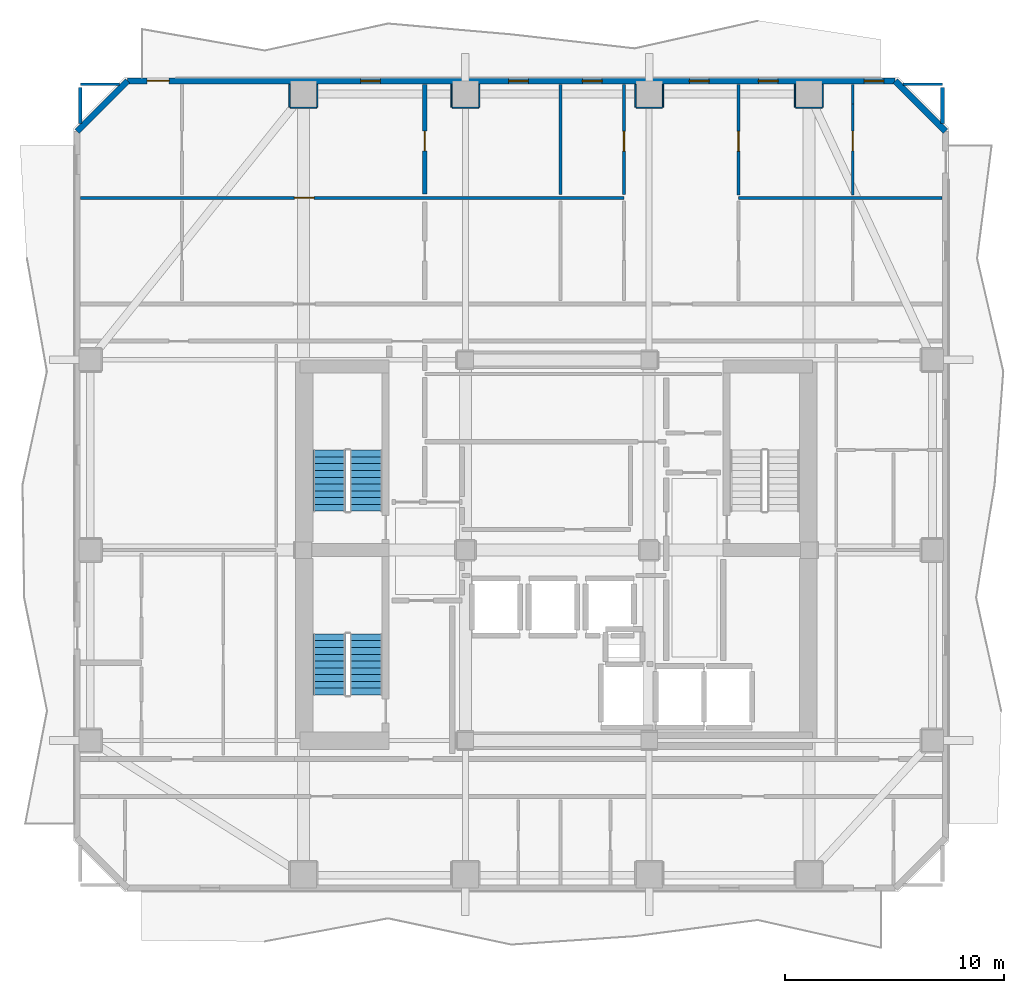
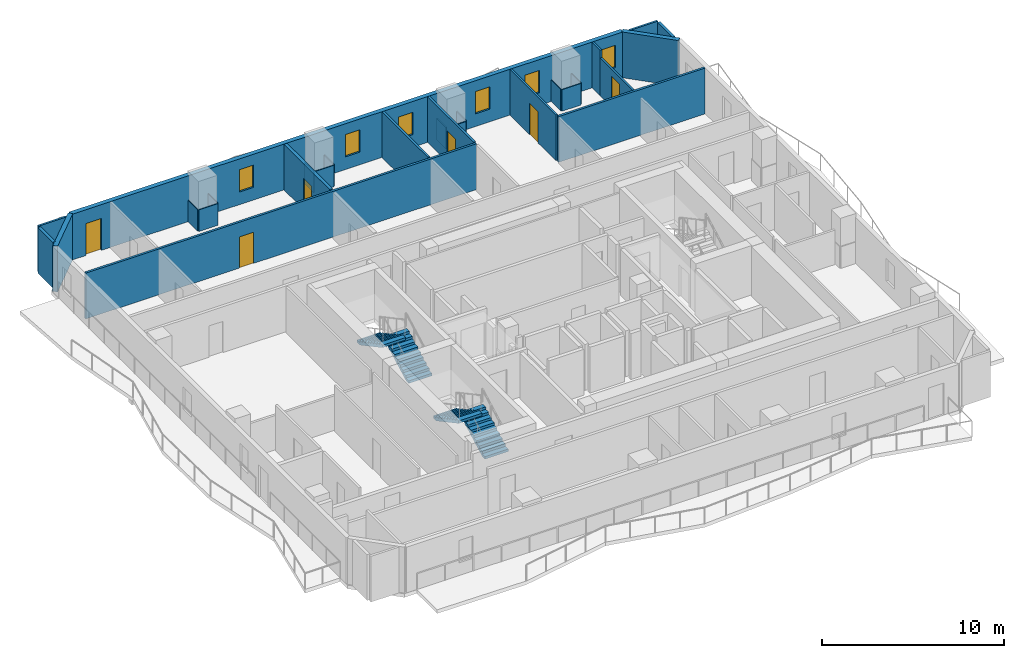
# One storey, part 6 of 11: 27 walls, 6 doors, 6 windows, 4 stair flights, 12 openings, 2 elements without a shape of their own.
"""IFC4 building model written with IfcOpenShell, lengths in metres."""

from ifc_helpers import new_model, si_unit, direction, frame, frame_2d, origin, place, context, subcontext, project, spatial, polyline, rectangle, outline, extrude, material, layer, layer_set, type_object, element, fill, aggregate, save


model = new_model("IFC4")

# Units and contexts
model_context = context("Model", 3, precision=1e-05, world=origin(), true_north=direction((0.0, 1.0)))
body_context = subcontext(model_context, "Body", "Model", "MODEL_VIEW")
ifc_project = project(units=[si_unit("LENGTHUNIT", "METRE"), si_unit("AREAUNIT", "SQUARE_METRE"), si_unit("VOLUMEUNIT", "CUBIC_METRE"), si_unit("PLANEANGLEUNIT", "RADIAN"), si_unit("MASSUNIT", "GRAM", prefix="KILO")], contexts=[model_context])

# Site, building, storey
site_placement = place(None, origin())
site = spatial("IfcSite", under=ifc_project, at=site_placement, CompositionType="ELEMENT")
building_placement = place(site_placement, origin())
building = spatial("IfcBuilding", under=site, at=building_placement, Name="Solanera Arch Residences", CompositionType="ELEMENT")
storey_placement = place(building_placement, frame((0.0, 0.0, 180.199951171875)))
storey = spatial("IfcBuildingStorey", under=building, at=storey_placement, Name="L52", CompositionType="ELEMENT", Elevation=180.199951171875)

# Walls
ifc_material_1 = material(Name="Fire-Rated Gypsum Stud Partition", Category="gypsum")
ifc_layer_1 = layer(ifc_material_1, 0.06005859375)
ifc_layer_set_1 = layer_set([ifc_layer_1], Name="Fire-Rated Gypsum Stud Partition")
wall_type_1 = type_object("IfcWallType", Name="Column Acoustic Furring Wall 60", PredefinedType="PARTITIONING", material=ifc_layer_set_1)
wall_1_placement = place(storey_placement, frame((12.800048828125, 50.91796875, 0.0), z_axis=(0.0, 0.0, 1.0), x_axis=(1.0, 0.0, 0.0)))
element("IfcWall", 1, at=wall_1_placement, inside=storey, type_object=wall_type_1, Name="L52 Column Furring 10S", PredefinedType="PARTITIONING", context=body_context, shape_type="SweptSolid", body=[
    extrude(rectangle(XDim=1.199951171875, YDim=0.06005859375, at=frame_2d((0.60009765625, 0.0))), origin(), (0.0, 0.0, 1.0), 1.449951171875),
])
for number, where, z_axis, x_axis, name in (
    (2, (12.76806640625, 50.949951171875, 0.0), (0.0, 0.0, 1.0), (0.0, 1.0, 0.0), "L52 Column Furring 10W"),
    (3, (14.031982421875, 50.949951171875, 0.0), (0.0, 0.0, 1.0), (0.0, 1.0, 0.0), "L52 Column Furring 10E"),
):
    element("IfcWall", number, at=place(storey_placement, frame(where, z_axis=z_axis, x_axis=x_axis)), inside=storey, type_object=wall_type_1, Name=name, PredefinedType="PARTITIONING", context=body_context, shape_type="SweptSolid", body=[
        extrude(rectangle(XDim=1.0400390625, YDim=0.06005859375, at=frame_2d((0.52001953125, 0.0))), origin(), (0.0, 0.0, 1.0), 1.449951171875),
    ])
wall_2_placement = place(storey_placement, frame((20.199951171875, 50.91796875, 0.0), z_axis=(0.0, 0.0, 1.0), x_axis=(1.0, 0.0, 0.0)))
element("IfcWall", 4, at=wall_2_placement, inside=storey, type_object=wall_type_1, Name="L52 Column Furring 12S", PredefinedType="PARTITIONING", context=body_context, shape_type="SweptSolid", body=[
    extrude(rectangle(XDim=1.199951171875, YDim=0.06005859375, at=frame_2d((0.60009765625, 0.0))), origin(), (0.0, 0.0, 1.0), 1.449951171875),
])
for number, where, z_axis, x_axis, name in (
    (5, (20.16796875, 50.949951171875, 0.0), (0.0, 0.0, 1.0), (0.0, 1.0, 0.0), "L52 Column Furring 12W"),
    (6, (21.431884765625, 50.949951171875, 0.0), (0.0, 0.0, 1.0), (0.0, 1.0, 0.0), "L52 Column Furring 12E"),
):
    element("IfcWall", number, at=place(storey_placement, frame(where, z_axis=z_axis, x_axis=x_axis)), inside=storey, type_object=wall_type_1, Name=name, PredefinedType="PARTITIONING", context=body_context, shape_type="SweptSolid", body=[
        extrude(rectangle(XDim=1.0400390625, YDim=0.06005859375, at=frame_2d((0.52001953125, 0.0))), origin(), (0.0, 0.0, 1.0), 1.449951171875),
    ])
wall_3_placement = place(storey_placement, frame((28.60009765625, 50.91796875, 0.0), z_axis=(0.0, 0.0, 1.0), x_axis=(1.0, 0.0, 0.0)))
element("IfcWall", 7, at=wall_3_placement, inside=storey, type_object=wall_type_1, Name="L52 Column Furring 14S", PredefinedType="PARTITIONING", context=body_context, shape_type="SweptSolid", body=[
    extrude(rectangle(XDim=1.199951171875, YDim=0.06005859375, at=frame_2d((0.60009765625, 0.0))), origin(), (0.0, 0.0, 1.0), 1.449951171875),
])
for number, where, z_axis, x_axis, name in (
    (8, (28.568115234375, 50.949951171875, 0.0), (0.0, 0.0, 1.0), (0.0, 1.0, 0.0), "L52 Column Furring 14W"),
    (9, (29.83203125, 50.949951171875, 0.0), (0.0, 0.0, 1.0), (0.0, 1.0, 0.0), "L52 Column Furring 14E"),
):
    element("IfcWall", number, at=place(storey_placement, frame(where, z_axis=z_axis, x_axis=x_axis)), inside=storey, type_object=wall_type_1, Name=name, PredefinedType="PARTITIONING", context=body_context, shape_type="SweptSolid", body=[
        extrude(rectangle(XDim=1.0400390625, YDim=0.06005859375, at=frame_2d((0.52001953125, 0.0))), origin(), (0.0, 0.0, 1.0), 1.449951171875),
    ])
wall_4_placement = place(storey_placement, frame((35.89990234375, 50.91796875, 0.0), z_axis=(0.0, 0.0, 1.0), x_axis=(1.0, 0.0, 0.0)))
element("IfcWall", 10, at=wall_4_placement, inside=storey, type_object=wall_type_1, Name="L52 Column Furring 16S", PredefinedType="PARTITIONING", context=body_context, shape_type="SweptSolid", body=[
    extrude(rectangle(XDim=1.2001953125, YDim=0.06005859375, at=frame_2d((0.60009765625, 0.0))), origin(), (0.0, 0.0, 1.0), 1.449951171875),
])
for number, where, z_axis, x_axis, name in (
    (11, (35.867919921875, 50.949951171875, 0.0), (0.0, 0.0, 1.0), (0.0, 1.0, 0.0), "L52 Column Furring 16W"),
    (12, (37.132080078125, 50.949951171875, 0.0), (0.0, 0.0, 1.0), (0.0, 1.0, 0.0), "L52 Column Furring 16E"),
):
    element("IfcWall", number, at=place(storey_placement, frame(where, z_axis=z_axis, x_axis=x_axis)), inside=storey, type_object=wall_type_1, Name=name, PredefinedType="PARTITIONING", context=body_context, shape_type="SweptSolid", body=[
        extrude(rectangle(XDim=1.0400390625, YDim=0.06005859375, at=frame_2d((0.52001953125, 0.0))), origin(), (0.0, 0.0, 1.0), 1.449951171875),
    ])
ifc_material_2 = material(Name="Autoclaved Aerated Concrete Blockwork", Category="masonry")
ifc_layer_2 = layer(ifc_material_2, 0.179931640625)
ifc_layer_set_2 = layer_set([ifc_layer_2], Name="Autoclaved Aerated Concrete Blockwork")
wall_type_2 = type_object("IfcWallType", Name="Corridor Fire Partition 180", PredefinedType="PARTITIONING", material=ifc_layer_set_2)
for number, where, z_axis, x_axis, name in (
    (13, (3.199951171875, 50.205078125, 0.0), (0.0, 0.0, 1.0), (0.0, 1.0, 0.0), "L52 Interior Partition V8 2"),
    (14, (42.60009765625, 50.205078125, 0.0), (0.0, 0.0, 1.0), (0.0, 1.0, 0.0), "L52 Interior Partition V10 2"),
):
    element("IfcWall", number, at=place(storey_placement, frame(where, z_axis=z_axis, x_axis=x_axis)), inside=storey, type_object=wall_type_2, Name=name, PredefinedType="PARTITIONING", context=body_context, shape_type="SweptSolid", body=[
        extrude(rectangle(XDim=1.636962890625, YDim=0.179931640625, at=frame_2d((0.818359375, 0.0))), origin(), (0.0, 0.0, 1.0), 3.080078125),
    ])
ifc_material_3 = material(Name="Precast Concrete C35/45", Category="concrete")
ifc_layer_3 = layer(ifc_material_3, 0.280029296875)
ifc_layer_set_3 = layer_set([ifc_layer_3], Name="Precast Concrete C35/45")
wall_type_3 = type_object("IfcWallType", Name="Exterior Wall Precast Masonry-Frame 280", PredefinedType="STANDARD", material=ifc_layer_set_3)
wall_5_placement = place(storey_placement, frame((3.054931640625, 49.844970703125, 0.0), z_axis=(0.0, 0.0, 1.0), x_axis=(0.707106781187, 0.707106781187, 0.0)))
element("IfcWall", 15, at=wall_5_placement, inside=storey, type_object=wall_type_3, Name="L52 Tower Exterior Precast Masonry-Frame Wall CH1", PredefinedType="STANDARD", context=body_context, shape_type="SweptSolid", body=[
    extrude(rectangle(XDim=3.252685546875, YDim=0.280029296875, at=frame_2d((1.62646484375, 0.0))), origin(), (0.0, 0.0, 1.0), 3.080078125),
])

# Wall, openings, door, windows
wall_6_placement = place(storey_placement, frame((5.35498046875, 52.14501953125, 0.0), z_axis=(0.0, 0.0, 1.0), x_axis=(1.0, 0.0, 0.0)))
wall_6 = element("IfcWall", 16, at=wall_6_placement, inside=storey, type_object=wall_type_3, Name="L52 Tower Exterior Precast Masonry-Frame Wall N", PredefinedType="STANDARD", context=body_context, shape_type="SweptSolid", body=[
    extrude(rectangle(XDim=35.090087890625, YDim=0.280029296875, at=frame_2d((17.544921875, 0.0))), origin(), (0.0, 0.0, 1.0), 3.080078125),
])
opening_1_placement = place(wall_6_placement, frame((0.904052734375, 0.0, 0.0)))
opening_1 = element("IfcOpeningElement", 17, at=opening_1_placement, cuts=wall_6, Name="Opening DB-01", PredefinedType="OPENING", context=body_context, shape_type="SweptSolid", body=[
    extrude(rectangle(XDim=1.0, YDim=2.14990234375, at=frame_2d((0.5, 1.074951171875))), frame((0.0, 0.14990234375, 0.0), z_axis=(0.0, -1.0, 0.0), x_axis=(1.0, 0.0, 0.0)), (0.0, 0.0, 1.0), 0.3),
])
opening_2_placement = place(wall_6_placement, frame((10.656982421875, 0.0, 0.85009765625)))
opening_2 = element("IfcOpeningElement", 18, at=opening_2_placement, cuts=wall_6, Name="Opening W-06", PredefinedType="OPENING", context=body_context, shape_type="SweptSolid", body=[
    extrude(rectangle(XDim=0.89990234375, YDim=1.5, at=frame_2d((0.449951171875, 0.75))), frame((0.0, 0.14990234375, 0.0), z_axis=(0.0, -1.0, 0.0), x_axis=(1.0, 0.0, 0.0)), (0.0, 0.0, 1.0), 0.3),
])
opening_3_placement = place(wall_6_placement, frame((17.422119140625, 0.0, 0.85009765625)))
opening_3 = element("IfcOpeningElement", 19, at=opening_3_placement, cuts=wall_6, Name="Opening W-06", PredefinedType="OPENING", context=body_context, shape_type="SweptSolid", body=[
    extrude(rectangle(XDim=0.89990234375, YDim=1.5, at=frame_2d((0.449951171875, 0.75))), frame((0.0, 0.14990234375, 0.0), z_axis=(0.0, -1.0, 0.0), x_axis=(1.0, 0.0, 0.0)), (0.0, 0.0, 1.0), 0.3),
])
opening_4_placement = place(wall_6_placement, frame((25.68701171875, 0.0, 0.85009765625)))
opening_4 = element("IfcOpeningElement", 20, at=opening_4_placement, cuts=wall_6, Name="Opening W-06", PredefinedType="OPENING", context=body_context, shape_type="SweptSolid", body=[
    extrude(rectangle(XDim=0.89990234375, YDim=1.5, at=frame_2d((0.449951171875, 0.75))), frame((0.0, 0.14990234375, 0.0), z_axis=(0.0, -1.0, 0.0), x_axis=(1.0, 0.0, 0.0)), (0.0, 0.0, 1.0), 0.3),
])
opening_5_placement = place(wall_6_placement, frame((20.797119140625, 0.0, 0.85009765625)))
opening_5 = element("IfcOpeningElement", 21, at=opening_5_placement, cuts=wall_6, Name="Opening W-06", PredefinedType="OPENING", context=body_context, shape_type="SweptSolid", body=[
    extrude(rectangle(XDim=0.89990234375, YDim=1.5, at=frame_2d((0.449951171875, 0.75))), frame((0.0, 0.14990234375, 0.0), z_axis=(0.0, -1.0, 0.0), x_axis=(1.0, 0.0, 0.0)), (0.0, 0.0, 1.0), 0.3),
])
opening_6_placement = place(wall_6_placement, frame((28.8369140625, 0.0, 0.85009765625)))
opening_6 = element("IfcOpeningElement", 22, at=opening_6_placement, cuts=wall_6, Name="Opening W-06", PredefinedType="OPENING", context=body_context, shape_type="SweptSolid", body=[
    extrude(rectangle(XDim=0.89990234375, YDim=1.5, at=frame_2d((0.449951171875, 0.75))), frame((0.0, 0.14990234375, 0.0), z_axis=(0.0, -1.0, 0.0), x_axis=(1.0, 0.0, 0.0)), (0.0, 0.0, 1.0), 0.3),
])
opening_7_placement = place(wall_6_placement, frame((33.673095703125, 0.0, 0.85009765625)))
opening_7 = element("IfcOpeningElement", 23, at=opening_7_placement, cuts=wall_6, Name="Opening W-06", PredefinedType="OPENING", context=body_context, shape_type="SweptSolid", body=[
    extrude(rectangle(XDim=0.89990234375, YDim=1.5, at=frame_2d((0.449951171875, 0.75))), frame((0.0, 0.14990234375, 0.0), z_axis=(0.0, -1.0, 0.0), x_axis=(1.0, 0.0, 0.0)), (0.0, 0.0, 1.0), 0.3),
])
ifc_material_4 = material(Name="Anodised Aluminium Alloy 6063-T6", Category="aluminium")
door_type_1 = type_object("IfcDoorType", Name="Glazed Balcony Swing Door DB-01", OperationType="NOTDEFINED", PredefinedType="DOOR", material=ifc_material_4)
door_1_placement = place(opening_1_placement, origin())
door_1 = element("IfcDoor", 24, at=door_1_placement, inside=storey, type_object=door_type_1, Name="DR-L52-OUT-02", OperationType="SINGLE_SWING_LEFT", OverallHeight=2.14990234375, OverallWidth=1.0, PredefinedType="DOOR", context=body_context, shape_type="SweptSolid", body=[
    extrude(rectangle(XDim=1.0, YDim=2.14990234375, at=frame_2d((0.5, 1.074951171875))), frame((0.0, 0.02490234375, 0.0), z_axis=(0.0, -1.0, 0.0), x_axis=(1.0, 0.0, 0.0)), (0.0, 0.0, 1.0), 0.050048828125),
])
fill(opening_1, door_1)
ifc_material_5 = material(Name="Double Glazed Low-E Laminated Glass", Category="glass")
window_type = type_object("IfcWindowType", Name="Punched Window W-06", PartitioningType="SINGLE_PANEL", PredefinedType="WINDOW", material=ifc_material_5)
window_1_placement = place(opening_2_placement, origin())
window_1 = element("IfcWindow", 25, at=window_1_placement, inside=storey, type_object=window_type, Name="L52 5203-LIV Punched Window", OverallHeight=1.5, OverallWidth=0.89990234375, PartitioningType="SINGLE_PANEL", PredefinedType="WINDOW", context=body_context, shape_type="SweptSolid", body=[
    extrude(rectangle(XDim=0.89990234375, YDim=1.5, at=frame_2d((0.449951171875, 0.75))), frame((0.0, 0.030029296875, 0.0), z_axis=(0.0, -1.0, 0.0), x_axis=(1.0, 0.0, 0.0)), (0.0, 0.0, 1.0), 0.06005859375),
])
fill(opening_2, window_1)
window_2_placement = place(opening_3_placement, origin())
window_2 = element("IfcWindow", 26, at=window_2_placement, inside=storey, type_object=window_type, Name="L52 5203-BR2 Punched Window", OverallHeight=1.5, OverallWidth=0.89990234375, PartitioningType="SINGLE_PANEL", PredefinedType="WINDOW", context=body_context, shape_type="SweptSolid", body=[
    extrude(rectangle(XDim=0.89990234375, YDim=1.5, at=frame_2d((0.449951171875, 0.75))), frame((0.0, 0.030029296875, 0.0), z_axis=(0.0, -1.0, 0.0), x_axis=(1.0, 0.0, 0.0)), (0.0, 0.0, 1.0), 0.06005859375),
])
fill(opening_3, window_2)
window_3_placement = place(opening_4_placement, origin())
window_3 = element("IfcWindow", 27, at=window_3_placement, inside=storey, type_object=window_type, Name="L52 5204-LIV Punched Window", OverallHeight=1.5, OverallWidth=0.89990234375, PartitioningType="SINGLE_PANEL", PredefinedType="WINDOW", context=body_context, shape_type="SweptSolid", body=[
    extrude(rectangle(XDim=0.89990234375, YDim=1.5, at=frame_2d((0.449951171875, 0.75))), frame((0.0, 0.030029296875, 0.0), z_axis=(0.0, -1.0, 0.0), x_axis=(1.0, 0.0, 0.0)), (0.0, 0.0, 1.0), 0.06005859375),
])
fill(opening_4, window_3)
window_4_placement = place(opening_5_placement, origin())
window_4 = element("IfcWindow", 28, at=window_4_placement, inside=storey, type_object=window_type, Name="L52 5204-BR1 Punched Window", OverallHeight=1.5, OverallWidth=0.89990234375, PartitioningType="SINGLE_PANEL", PredefinedType="WINDOW", context=body_context, shape_type="SweptSolid", body=[
    extrude(rectangle(XDim=0.89990234375, YDim=1.5, at=frame_2d((0.449951171875, 0.75))), frame((0.0, 0.030029296875, 0.0), z_axis=(0.0, -1.0, 0.0), x_axis=(1.0, 0.0, 0.0)), (0.0, 0.0, 1.0), 0.06005859375),
])
fill(opening_5, window_4)
window_5_placement = place(opening_6_placement, origin())
window_5 = element("IfcWindow", 29, at=window_5_placement, inside=storey, type_object=window_type, Name="L52 5204-BR2 Punched Window", OverallHeight=1.5, OverallWidth=0.89990234375, PartitioningType="SINGLE_PANEL", PredefinedType="WINDOW", context=body_context, shape_type="SweptSolid", body=[
    extrude(rectangle(XDim=0.89990234375, YDim=1.5, at=frame_2d((0.449951171875, 0.75))), frame((0.0, 0.030029296875, 0.0), z_axis=(0.0, -1.0, 0.0), x_axis=(1.0, 0.0, 0.0)), (0.0, 0.0, 1.0), 0.06005859375),
])
fill(opening_6, window_5)
window_6_placement = place(opening_7_placement, origin())
window_6 = element("IfcWindow", 30, at=window_6_placement, inside=storey, type_object=window_type, Name="L52 5204-BR3 Punched Window", OverallHeight=1.5, OverallWidth=0.89990234375, PartitioningType="SINGLE_PANEL", PredefinedType="WINDOW", context=body_context, shape_type="SweptSolid", body=[
    extrude(rectangle(XDim=0.89990234375, YDim=1.5, at=frame_2d((0.449951171875, 0.75))), frame((0.0, 0.030029296875, 0.0), z_axis=(0.0, -1.0, 0.0), x_axis=(1.0, 0.0, 0.0)), (0.0, 0.0, 1.0), 0.06005859375),
])
fill(opening_7, window_6)

# Wall
wall_7_placement = place(storey_placement, frame((40.445068359375, 52.14501953125, 0.0), z_axis=(0.0, 0.0, 1.0), x_axis=(0.707106781187, -0.707106781187, 0.0)))
element("IfcWall", 31, at=wall_7_placement, inside=storey, type_object=wall_type_3, Name="L52 Tower Exterior Precast Masonry-Frame Wall CH3", PredefinedType="STANDARD", context=body_context, shape_type="SweptSolid", body=[
    extrude(rectangle(XDim=3.252685546875, YDim=0.280029296875, at=frame_2d((1.62646484375, 0.0))), origin(), (0.0, 0.0, 1.0), 3.080078125),
])

# Wall, opening, door
ifc_material_6 = material(Name="Autoclaved Aerated Concrete Blockwork", Category="masonry")
ifc_layer_4 = layer(ifc_material_6, 0.199951171875)
ifc_layer_set_4 = layer_set([ifc_layer_4], Name="Autoclaved Aerated Concrete Blockwork")
wall_type_4 = type_object("IfcWallType", Name="Party Wall Acoustic 200", PredefinedType="PARTITIONING", material=ifc_layer_set_4)
wall_8_placement = place(storey_placement, frame((18.949951171875, 46.97802734375, 0.0), z_axis=(0.0, 0.0, 1.0), x_axis=(0.0, 1.0, 0.0)))
wall_8 = element("IfcWall", 32, at=wall_8_placement, inside=storey, type_object=wall_type_4, Name="L52 Interior Partition V7 2", PredefinedType="PARTITIONING", context=body_context, shape_type="SweptSolid", body=[
    extrude(rectangle(XDim=5.014892578125, YDim=0.199951171875, at=frame_2d((2.50732421875, 0.0))), origin(), (0.0, 0.0, 1.0), 3.080078125),
])
opening_8_placement = place(wall_8_placement, frame((1.971923828125, 0.0, 0.0)))
opening_8 = element("IfcOpeningElement", 33, at=opening_8_placement, cuts=wall_8, Name="Opening DI-03", PredefinedType="OPENING", context=body_context, shape_type="SweptSolid", body=[
    extrude(rectangle(XDim=0.89990234375, YDim=2.10009765625, at=frame_2d((0.449951171875, 1.050048828125))), frame((0.0, 0.110107421875, 0.0), z_axis=(0.0, -1.0, 0.0), x_axis=(1.0, 0.0, 0.0)), (0.0, 0.0, 1.0), 0.22),
])
ifc_material_7 = material(Name="Fire-Rated Architectural Hardwood", Category="wood")
door_type_2 = type_object("IfcDoorType", Name="Bedroom Swing Door DI-03", OperationType="NOTDEFINED", PredefinedType="DOOR", material=ifc_material_7)
door_2_placement = place(opening_8_placement, origin())
door_2 = element("IfcDoor", 34, at=door_2_placement, inside=storey, type_object=door_type_2, Name="DR-L52-IN-025", OperationType="SINGLE_SWING_LEFT", OverallHeight=2.10009765625, OverallWidth=0.89990234375, PredefinedType="DOOR", context=body_context, shape_type="SweptSolid", body=[
    extrude(rectangle(XDim=0.89990234375, YDim=2.10009765625, at=frame_2d((0.449951171875, 1.050048828125))), frame((0.0, 0.02490234375, 0.0), z_axis=(0.0, -1.0, 0.0), x_axis=(1.0, 0.0, 0.0)), (0.0, 0.0, 1.0), 0.050048828125),
])
fill(opening_8, door_2)

# Walls
ifc_material_8 = material(Name="Fire-Rated Gypsum Stud Partition", Category="gypsum")
ifc_layer_5 = layer(ifc_material_8, 0.1201171875)
ifc_layer_set_5 = layer_set([ifc_layer_5], Name="Fire-Rated Gypsum Stud Partition")
wall_type_5 = type_object("IfcWallType", Name="Unit Drywall Partition 120", PredefinedType="PARTITIONING", material=ifc_layer_set_5)
for number, where, z_axis, x_axis, name in (
    (35, (3.199951171875, 52.0, 0.0), (0.0, 0.0, 1.0), (1.0, 0.0, 0.0), "L52 Interior Partition H21 1"),
    (36, (40.804931640625, 52.0, 0.0), (0.0, 0.0, 1.0), (1.0, 0.0, 0.0), "L52 Interior Partition H21 2"),
):
    element("IfcWall", number, at=place(storey_placement, frame(where, z_axis=z_axis, x_axis=x_axis)), inside=storey, type_object=wall_type_5, Name=name, PredefinedType="PARTITIONING", context=body_context, shape_type="SweptSolid", body=[
        extrude(rectangle(XDim=1.795166015625, YDim=0.1201171875, at=frame_2d((0.8974609375, 0.0))), origin(), (0.0, 0.0, 1.0), 3.080078125),
    ])

# Wall, opening, door
wall_9_placement = place(storey_placement, frame((33.283935546875, 46.93798828125, 0.0), z_axis=(0.0, 0.0, 1.0), x_axis=(0.0, 1.0, 0.0)))
wall_9 = element("IfcWall", 37, at=wall_9_placement, inside=storey, type_object=wall_type_5, Name="L52 Interior Partition V23 2", PredefinedType="PARTITIONING", context=body_context, shape_type="SweptSolid", body=[
    extrude(rectangle(XDim=5.054931640625, YDim=0.1201171875, at=frame_2d((2.52734375, 0.0))), origin(), (0.0, 0.0, 1.0), 3.080078125),
])
opening_9_placement = place(wall_9_placement, frame((1.9990234375, 0.0, 0.0)))
opening_9 = element("IfcOpeningElement", 38, at=opening_9_placement, cuts=wall_9, Name="Opening DI-03", PredefinedType="OPENING", context=body_context, shape_type="SweptSolid", body=[
    extrude(rectangle(XDim=0.89990234375, YDim=2.10009765625, at=frame_2d((0.449951171875, 1.050048828125))), frame((0.0, 0.070068359375, 0.0), z_axis=(0.0, -1.0, 0.0), x_axis=(1.0, 0.0, 0.0)), (0.0, 0.0, 1.0), 0.1401),
])
door_3_placement = place(opening_9_placement, origin())
door_3 = element("IfcDoor", 39, at=door_3_placement, inside=storey, type_object=door_type_2, Name="DR-L52-IN-031", OperationType="SINGLE_SWING_LEFT", OverallHeight=2.10009765625, OverallWidth=0.89990234375, PredefinedType="DOOR", context=body_context, shape_type="SweptSolid", body=[
    extrude(rectangle(XDim=0.89990234375, YDim=2.10009765625, at=frame_2d((0.449951171875, 1.050048828125))), frame((0.0, 0.02490234375, 0.0), z_axis=(0.0, -1.0, 0.0), x_axis=(1.0, 0.0, 0.0)), (0.0, 0.0, 1.0), 0.050048828125),
])
fill(opening_9, door_3)

wall_10_placement = place(storey_placement, frame((38.5009765625, 46.93798828125, 0.0), z_axis=(0.0, 0.0, 1.0), x_axis=(0.0, 1.0, 0.0)))
wall_10 = element("IfcWall", 40, at=wall_10_placement, inside=storey, type_object=wall_type_5, Name="L52 Interior Partition V25 2", PredefinedType="PARTITIONING", context=body_context, shape_type="SweptSolid", body=[
    extrude(rectangle(XDim=4.162109375, YDim=0.1201171875, at=frame_2d((2.0810546875, 0.0))), origin(), (0.0, 0.0, 1.0), 2.56494140625),
])
opening_10_placement = place(wall_10_placement, frame((2.011962890625, 0.0, 0.0)))
opening_10 = element("IfcOpeningElement", 41, at=opening_10_placement, cuts=wall_10, Name="Opening DI-03", PredefinedType="OPENING", context=body_context, shape_type="SweptSolid", body=[
    extrude(rectangle(XDim=0.89990234375, YDim=2.10009765625, at=frame_2d((0.449951171875, 1.050048828125))), frame((0.0, 0.070068359375, 0.0), z_axis=(0.0, -1.0, 0.0), x_axis=(1.0, 0.0, 0.0)), (0.0, 0.0, 1.0), 0.1401),
])
door_4_placement = place(opening_10_placement, origin())
door_4 = element("IfcDoor", 42, at=door_4_placement, inside=storey, type_object=door_type_2, Name="DR-L52-IN-032", OperationType="SINGLE_SWING_RIGHT", OverallHeight=2.10009765625, OverallWidth=0.89990234375, PredefinedType="DOOR", context=body_context, shape_type="SweptSolid", body=[
    extrude(rectangle(XDim=0.89990234375, YDim=2.10009765625, at=frame_2d((0.449951171875, 1.050048828125))), frame((0.0, 0.02490234375, 0.0), z_axis=(0.0, -1.0, 0.0), x_axis=(1.0, 0.0, 0.0)), (0.0, 0.0, 1.0), 0.050048828125),
])
fill(opening_10, door_4)

# Wall
wall_11_placement = place(storey_placement, frame((38.5009765625, 51.10009765625, 0.0), z_axis=(0.0, 0.0, 1.0), x_axis=(0.0, 1.0, 0.0)))
element("IfcWall", 43, at=wall_11_placement, inside=storey, type_object=wall_type_5, Name="L52 Interior Partition V25 3", PredefinedType="PARTITIONING", context=body_context, shape_type="SweptSolid", body=[
    extrude(rectangle(XDim=0.892822265625, YDim=0.1201171875, at=frame_2d((0.4462890625, 0.0))), origin(), (0.0, 0.0, 1.0), 3.080078125),
])

# Wall, opening, door
ifc_material_9 = material(Name="Autoclaved Aerated Concrete Blockwork", Category="masonry")
ifc_layer_6 = layer(ifc_material_9, 0.139892578125)
ifc_layer_set_6 = layer_set([ifc_layer_6], Name="Autoclaved Aerated Concrete Blockwork")
wall_type_6 = type_object("IfcWallType", Name="Wet-Room Partition 140", PredefinedType="PARTITIONING", material=ifc_layer_set_6)
wall_12_placement = place(storey_placement, frame((3.20703125, 46.800048828125, 0.0), z_axis=(0.0, 0.0, 1.0), x_axis=(1.0, 0.0, 0.0)))
wall_12 = element("IfcWall", 44, at=wall_12_placement, inside=storey, type_object=wall_type_6, Name="L52 Interior Partition H18", PredefinedType="PARTITIONING", context=body_context, shape_type="SweptSolid", body=[
    extrude(rectangle(XDim=24.843017578125, YDim=0.139892578125, at=frame_2d((12.42138671875, 0.0))), origin(), (0.0, 0.0, 1.0), 3.080078125),
])
opening_11_placement = place(wall_12_placement, frame((9.777099609375, 0.0, 0.0)))
opening_11 = element("IfcOpeningElement", 45, at=opening_11_placement, cuts=wall_12, Name="Opening DI-02", PredefinedType="OPENING", context=body_context, shape_type="SweptSolid", body=[
    extrude(rectangle(XDim=0.89990234375, YDim=2.10009765625, at=frame_2d((0.449951171875, 1.050048828125))), frame((0.0, 0.079833984375, 0.0), z_axis=(0.0, -1.0, 0.0), x_axis=(1.0, 0.0, 0.0)), (0.0, 0.0, 1.0), 0.1599),
])
ifc_material_10 = material(Name="Fire-Rated Architectural Hardwood", Category="wood")
door_type_3 = type_object("IfcDoorType", Name="Suite Room Swing Door DI-02", OperationType="NOTDEFINED", PredefinedType="DOOR", material=ifc_material_10)
door_5_placement = place(opening_11_placement, origin())
door_5 = element("IfcDoor", 46, at=door_5_placement, inside=storey, type_object=door_type_3, Name="DR-L52-IN-021", OperationType="SINGLE_SWING_LEFT", OverallHeight=2.10009765625, OverallWidth=0.89990234375, PredefinedType="DOOR", context=body_context, shape_type="SweptSolid", body=[
    extrude(rectangle(XDim=0.89990234375, YDim=2.10009765625, at=frame_2d((0.449951171875, 1.050048828125))), frame((0.0, 0.02490234375, 0.0), z_axis=(0.0, -1.0, 0.0), x_axis=(1.0, 0.0, 0.0)), (0.0, 0.0, 1.0), 0.050048828125),
])
fill(opening_11, door_5)

# Walls
wall_13_placement = place(storey_placement, frame((33.283935546875, 46.800048828125, 0.0), z_axis=(0.0, 0.0, 1.0), x_axis=(1.0, 0.0, 0.0)))
element("IfcWall", 47, at=wall_13_placement, inside=storey, type_object=wall_type_6, Name="L52 Interior Partition H19", PredefinedType="PARTITIONING", context=body_context, shape_type="SweptSolid", body=[
    extrude(rectangle(XDim=9.30908203125, YDim=0.139892578125, at=frame_2d((4.654541015625, 0.0))), origin(), (0.0, 0.0, 1.0), 3.080078125),
])
wall_14_placement = place(storey_placement, frame((25.154052734375, 46.947998046875, 0.0), z_axis=(0.0, 0.0, 1.0), x_axis=(0.0, 1.0, 0.0)))
element("IfcWall", 48, at=wall_14_placement, inside=storey, type_object=wall_type_6, Name="L52 Interior Partition V15 2", PredefinedType="PARTITIONING", context=body_context, shape_type="SweptSolid", body=[
    extrude(rectangle(XDim=5.044921875, YDim=0.139892578125, at=frame_2d((2.5224609375, 0.0))), origin(), (0.0, 0.0, 1.0), 3.080078125),
])

# Wall, opening, door
wall_15_placement = place(storey_placement, frame((28.050048828125, 46.947998046875, 0.0), z_axis=(0.0, 0.0, 1.0), x_axis=(0.0, 1.0, 0.0)))
wall_15 = element("IfcWall", 49, at=wall_15_placement, inside=storey, type_object=wall_type_6, Name="L52 Interior Partition V17 2", PredefinedType="PARTITIONING", context=body_context, shape_type="SweptSolid", body=[
    extrude(rectangle(XDim=5.044921875, YDim=0.139892578125, at=frame_2d((2.5224609375, 0.0))), origin(), (0.0, 0.0, 1.0), 3.080078125),
])
opening_12_placement = place(wall_15_placement, frame((1.989013671875, 0.0, 0.0)))
opening_12 = element("IfcOpeningElement", 50, at=opening_12_placement, cuts=wall_15, Name="Opening DI-03", PredefinedType="OPENING", context=body_context, shape_type="SweptSolid", body=[
    extrude(rectangle(XDim=0.89990234375, YDim=2.10009765625, at=frame_2d((0.449951171875, 1.050048828125))), frame((0.0, 0.079833984375, 0.0), z_axis=(0.0, -1.0, 0.0), x_axis=(1.0, 0.0, 0.0)), (0.0, 0.0, 1.0), 0.1599),
])
door_6_placement = place(opening_12_placement, origin())
door_6 = element("IfcDoor", 51, at=door_6_placement, inside=storey, type_object=door_type_2, Name="DR-L52-IN-028", OperationType="SINGLE_SWING_RIGHT", OverallHeight=2.10009765625, OverallWidth=0.89990234375, PredefinedType="DOOR", context=body_context, shape_type="SweptSolid", body=[
    extrude(rectangle(XDim=0.89990234375, YDim=2.10009765625, at=frame_2d((0.449951171875, 1.050048828125))), frame((0.0, 0.02490234375, 0.0), z_axis=(0.0, -1.0, 0.0), x_axis=(1.0, 0.0, 0.0)), (0.0, 0.0, 1.0), 0.050048828125),
])
fill(opening_12, door_6)

# Stair, stair flights
ifc_material_11 = material(Name="Concrete C40/50 (f'c = 45 MPa)", Category="concrete")
stair_type = type_object("IfcStairType", Name="Tower Dogleg Exit Stair 1480", PredefinedType="HALF_TURN_STAIR", material=ifc_material_11)
stair_1_placement = place(storey_placement, origin())
stair_1 = element("IfcStair", 52, at=stair_1_placement, inside=storey, type_object=stair_type, Name="L52 Tower Core Exit Stair 1", PredefinedType="HALF_TURN_STAIR")
ifc_material_12 = material(Name="Concrete C40/50 (f'c = 45 MPa)", Category="concrete")
stair_flight_type = type_object("IfcStairFlightType", Name="Tower Precast Stair Flight 1480", PredefinedType="STRAIGHT", material=ifc_material_12)
stair_flight_1_placement = place(storey_placement, frame((16.260009765625, 32.47998046875, 0.0), z_axis=(0.0, 0.0, 1.0), x_axis=(0.0, 1.0, 0.0)))
stair_flight_1 = element("IfcStairFlight", 53, at=stair_flight_1_placement, type_object=stair_flight_type, Name="ST-T1 flight 1", NumberOfRisers=10, NumberOfTreads=9, PredefinedType="STRAIGHT", RiserHeight=0.166, TreadLength=0.31, context=body_context, shape_type="SweptSolid", body=[
    extrude(outline(polyline([(0.0, 0.0), (0.0, 0.166015625), (0.31005859375, 0.166015625), (0.31005859375, 0.33203125), (0.6201171875, 0.33203125), (0.6201171875, 0.498046875), (0.929931640625, 0.498046875), (0.929931640625, 0.6640625), (1.239990234375, 0.6640625), (1.239990234375, 0.830078125), (1.550048828125, 0.830078125), (1.550048828125, 0.99609375), (1.860107421875, 0.99609375), (1.860107421875, 1.162109375), (2.169921875, 1.162109375), (2.169921875, 1.327880859375), (2.47998046875, 1.327880859375), (2.47998046875, 1.493896484375), (2.7900390625, 1.493896484375), (2.7900390625, 1.659912109375), (2.7900390625, 1.323974609375), (0.317626953125, 0.0), (0.0, 0.0)])), frame((0.0, 0.739990234375, 0.0), z_axis=(0.0, -1.0, 0.0), x_axis=(1.0, 0.0, 0.0)), (0.0, 0.0, 1.0), 1.47998046875),
])
stair_flight_2_placement = place(storey_placement, frame((14.580078125, 35.27001953125, 1.66015625), z_axis=(0.0, 0.0, 1.0), x_axis=(0.0, -1.0, 0.0)))
stair_flight_2 = element("IfcStairFlight", 54, at=stair_flight_2_placement, type_object=stair_flight_type, Name="ST-T1 flight 2", NumberOfRisers=10, NumberOfTreads=9, PredefinedType="STRAIGHT", RiserHeight=0.166, TreadLength=0.31, context=body_context, shape_type="SweptSolid", body=[
    extrude(outline(polyline([(0.0, 0.0), (0.0, 0.166015625), (0.31005859375, 0.166015625), (0.31005859375, 0.33203125), (0.6201171875, 0.33203125), (0.6201171875, 0.498046875), (0.929931640625, 0.498046875), (0.929931640625, 0.6640625), (1.239990234375, 0.6640625), (1.239990234375, 0.830078125), (1.550048828125, 0.830078125), (1.550048828125, 0.99609375), (1.860107421875, 0.99609375), (1.860107421875, 1.162109375), (2.169921875, 1.162109375), (2.169921875, 1.327880859375), (2.47998046875, 1.327880859375), (2.47998046875, 1.493896484375), (2.7900390625, 1.493896484375), (2.7900390625, 1.659912109375), (2.7900390625, 1.323974609375), (0.317626953125, 0.0), (0.0, 0.0)])), frame((0.0, 0.739990234375, 0.0), z_axis=(0.0, -1.0, 0.0), x_axis=(1.0, 0.0, 0.0)), (0.0, 0.0, 1.0), 1.47998046875),
])
aggregate(stair_1, [stair_flight_1, stair_flight_2])

stair_2_placement = place(storey_placement, origin())
stair_2 = element("IfcStair", 55, at=stair_2_placement, inside=storey, type_object=stair_type, Name="L52 Tower Core Exit Stair 3", PredefinedType="HALF_TURN_STAIR")
stair_flight_3_placement = place(storey_placement, frame((16.260009765625, 24.080078125, 0.0), z_axis=(0.0, 0.0, 1.0), x_axis=(0.0, 1.0, 0.0)))
stair_flight_3 = element("IfcStairFlight", 56, at=stair_flight_3_placement, type_object=stair_flight_type, Name="ST-T3 flight 1", NumberOfRisers=10, NumberOfTreads=9, PredefinedType="STRAIGHT", RiserHeight=0.166, TreadLength=0.31, context=body_context, shape_type="SweptSolid", body=[
    extrude(outline(polyline([(0.0, 0.0), (0.0, 0.166015625), (0.31005859375, 0.166015625), (0.31005859375, 0.33203125), (0.6201171875, 0.33203125), (0.6201171875, 0.498046875), (0.929931640625, 0.498046875), (0.929931640625, 0.6640625), (1.239990234375, 0.6640625), (1.239990234375, 0.830078125), (1.550048828125, 0.830078125), (1.550048828125, 0.99609375), (1.860107421875, 0.99609375), (1.860107421875, 1.162109375), (2.169921875, 1.162109375), (2.169921875, 1.327880859375), (2.47998046875, 1.327880859375), (2.47998046875, 1.493896484375), (2.7900390625, 1.493896484375), (2.7900390625, 1.659912109375), (2.7900390625, 1.323974609375), (0.317626953125, 0.0), (0.0, 0.0)])), frame((0.0, 0.739990234375, 0.0), z_axis=(0.0, -1.0, 0.0), x_axis=(1.0, 0.0, 0.0)), (0.0, 0.0, 1.0), 1.47998046875),
])
stair_flight_4_placement = place(storey_placement, frame((14.580078125, 26.8701171875, 1.66015625), z_axis=(0.0, 0.0, 1.0), x_axis=(0.0, -1.0, 0.0)))
stair_flight_4 = element("IfcStairFlight", 57, at=stair_flight_4_placement, type_object=stair_flight_type, Name="ST-T3 flight 2", NumberOfRisers=10, NumberOfTreads=9, PredefinedType="STRAIGHT", RiserHeight=0.166, TreadLength=0.31, context=body_context, shape_type="SweptSolid", body=[
    extrude(outline(polyline([(0.0, 0.0), (0.0, 0.166015625), (0.31005859375, 0.166015625), (0.31005859375, 0.33203125), (0.6201171875, 0.33203125), (0.6201171875, 0.498046875), (0.929931640625, 0.498046875), (0.929931640625, 0.6640625), (1.239990234375, 0.6640625), (1.239990234375, 0.830078125), (1.550048828125, 0.830078125), (1.550048828125, 0.99609375), (1.860107421875, 0.99609375), (1.860107421875, 1.162109375), (2.169921875, 1.162109375), (2.169921875, 1.327880859375), (2.47998046875, 1.327880859375), (2.47998046875, 1.493896484375), (2.7900390625, 1.493896484375), (2.7900390625, 1.659912109375), (2.7900390625, 1.323974609375), (0.317626953125, 0.0), (0.0, 0.0)])), frame((0.0, 0.739990234375, 0.0), z_axis=(0.0, -1.0, 0.0), x_axis=(1.0, 0.0, 0.0)), (0.0, 0.0, 1.0), 1.47998046875),
])
aggregate(stair_2, [stair_flight_3, stair_flight_4])

save(model, "model.ifc")
